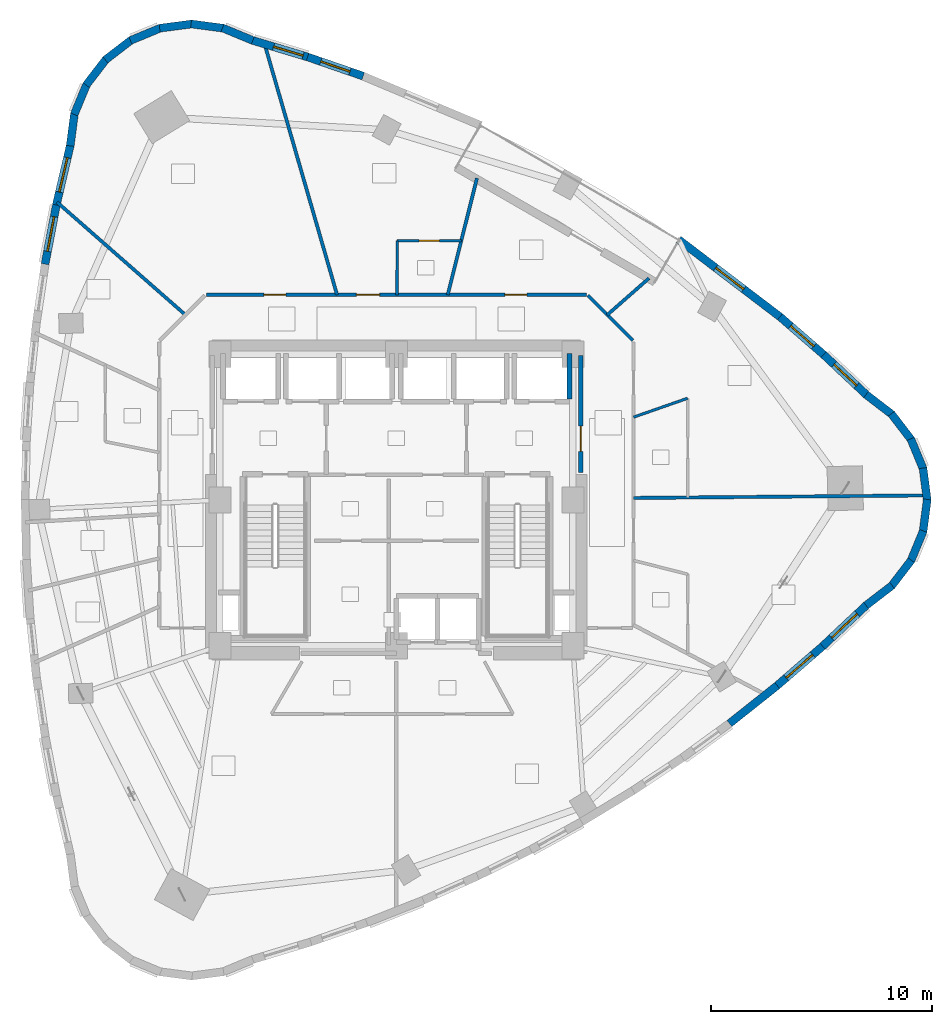
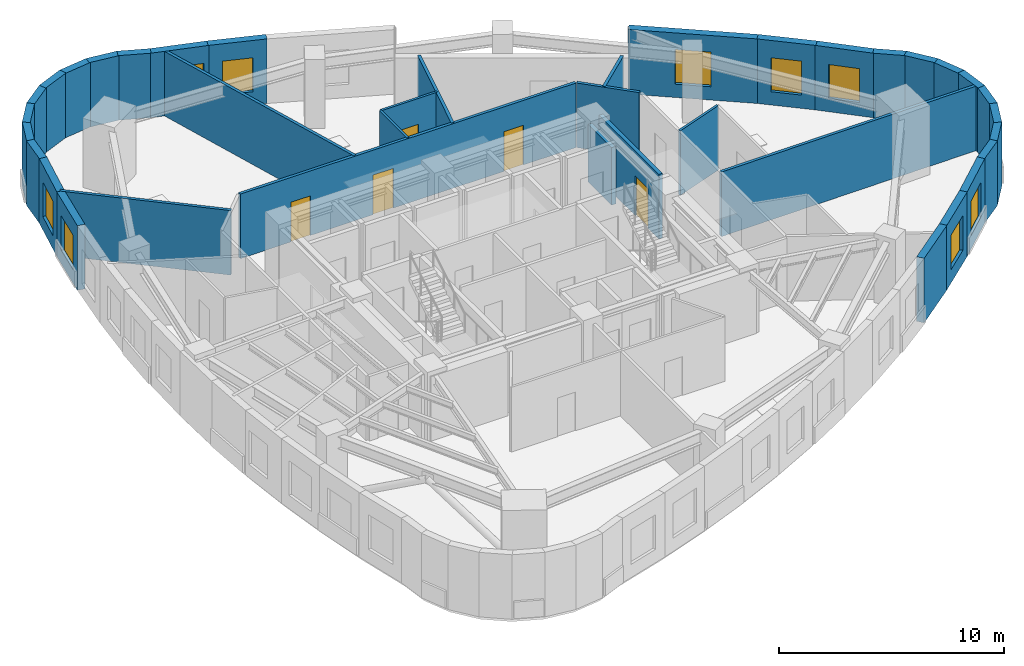
# One storey, part 10 of 14: 38 walls, 9 windows, 5 doors, 14 openings.
"""IFC4 building model written with IfcOpenShell, lengths in metres."""

from ifc_helpers import new_model, si_unit, direction, frame, frame_2d, origin, place, context, subcontext, project, spatial, rectangle, extrude, material, layer, layer_set, type_object, element, fill, save


model = new_model("IFC4")

# Units and contexts
model_context = context("Model", 3, precision=1e-05, world=origin(), true_north=direction((0.0, 1.0)))
body_context = subcontext(model_context, "Body", "Model", "MODEL_VIEW")
ifc_project = project(units=[si_unit("LENGTHUNIT", "METRE"), si_unit("AREAUNIT", "SQUARE_METRE"), si_unit("VOLUMEUNIT", "CUBIC_METRE"), si_unit("PLANEANGLEUNIT", "RADIAN"), si_unit("MASSUNIT", "GRAM", prefix="KILO")], contexts=[model_context])

# Site, building, storey
site_placement = place(None, origin())
site = spatial("IfcSite", under=ifc_project, at=site_placement, CompositionType="ELEMENT")
building_placement = place(site_placement, origin())
building = spatial("IfcBuilding", under=site, at=building_placement, Name="Ndelora Gate Hotel", CompositionType="ELEMENT")
storey_placement = place(building_placement, frame((0.0, 0.0, 119.75)))
storey = spatial("IfcBuildingStorey", under=building, at=storey_placement, Name="L29", CompositionType="ELEMENT", Elevation=119.75)

# Walls
ifc_material_1 = material(Name="Clay Brick Masonry", Category="masonry")
ifc_layer_1 = layer(ifc_material_1, 0.360107421875)
ifc_layer_set_1 = layer_set([ifc_layer_1], Name="Clay Brick Masonry")
wall_type_1 = type_object("IfcWallType", Name="WL-BRICK-360", PredefinedType="SOLIDWALL", material=ifc_layer_set_1)
for number, where, z_axis, x_axis, name in (
    (1, (-7.8798828125, 21.39599609375, 0.0), (0.0, 0.0, 1.0), (0.923886669429, -0.382666201867, 0.0), "L29 Tower Brick Pier-and-Spandrel Wall TWR-1"),
    (2, (-9.304931640625, 21.576904296875, 0.0), (0.0, 0.0, 1.0), (0.991453176983, -0.130463013345, 0.0), "L29 Tower Brick Pier-and-Spandrel Wall TWR-2"),
    (3, (-10.728515625, 21.383056640625, 0.0), (0.0, 0.0, 1.0), (0.991453176983, 0.130463013345, 0.0), "L29 Tower Brick Pier-and-Spandrel Wall TWR-3"),
):
    element("IfcWall", number, at=place(storey_placement, frame(where, z_axis=z_axis, x_axis=x_axis)), inside=storey, type_object=wall_type_1, Name=name, PredefinedType="SOLIDWALL", context=body_context, shape_type="SweptSolid", body=[
        extrude(rectangle(XDim=1.48583984375, YDim=0.360107421875, at=frame_2d((0.742919921875, 0.0))), origin(), (0.0, 0.0, 1.0), 3.5),
    ])
wall_1_placement = place(storey_placement, frame((-12.05322265625, 20.827392578125, 0.0), z_axis=(0.0, 0.0, 1.0), x_axis=(0.923862604215, 0.382724298331, 0.0)))
element("IfcWall", 4, at=wall_1_placement, inside=storey, type_object=wall_type_1, Name="L29 Tower Brick Pier-and-Spandrel Wall TWR-4", PredefinedType="SOLIDWALL", context=body_context, shape_type="SweptSolid", body=[
    extrude(rectangle(XDim=1.485595703125, YDim=0.360107421875, at=frame_2d((0.74267578125, 0.0))), origin(), (0.0, 0.0, 1.0), 3.5),
])
for number, where, z_axis, x_axis, name in (
    (5, (-13.189208984375, 19.947509765625, 0.0), (0.0, 0.0, 1.0), (0.793325936538, 0.608797140611, 0.0), "L29 Tower Brick Pier-and-Spandrel Wall TWR-5"),
    (6, (-14.05859375, 18.803955078125, 0.0), (0.0, 0.0, 1.0), (0.608797140611, 0.793325936538, 0.0), "L29 Tower Brick Pier-and-Spandrel Wall TWR-6"),
):
    element("IfcWall", number, at=place(storey_placement, frame(where, z_axis=z_axis, x_axis=x_axis)), inside=storey, type_object=wall_type_1, Name=name, PredefinedType="SOLIDWALL", context=body_context, shape_type="SweptSolid", body=[
        extrude(rectangle(XDim=1.48583984375, YDim=0.360107421875, at=frame_2d((0.742919921875, 0.0))), origin(), (0.0, 0.0, 1.0), 3.5),
    ])
wall_2_placement = place(storey_placement, frame((-14.602294921875, 17.47412109375, 0.0), z_axis=(0.0, 0.0, 1.0), x_axis=(0.382724298331, 0.923862604215, 0.0)))
element("IfcWall", 7, at=wall_2_placement, inside=storey, type_object=wall_type_1, Name="L29 Tower Brick Pier-and-Spandrel Wall TWR-7", PredefinedType="SOLIDWALL", context=body_context, shape_type="SweptSolid", body=[
    extrude(rectangle(XDim=1.485595703125, YDim=0.360107421875, at=frame_2d((0.74267578125, 0.0))), origin(), (0.0, 0.0, 1.0), 3.5),
])
wall_3_placement = place(storey_placement, frame((-14.783447265625, 16.048828125, 0.0), z_axis=(0.0, 0.0, 1.0), x_axis=(0.130463013345, 0.991453176983, 0.0)))
element("IfcWall", 8, at=wall_3_placement, inside=storey, type_object=wall_type_1, Name="L29 Tower Brick Pier-and-Spandrel Wall TWR-8", PredefinedType="SOLIDWALL", context=body_context, shape_type="SweptSolid", body=[
    extrude(rectangle(XDim=1.48583984375, YDim=0.360107421875, at=frame_2d((0.742919921875, 0.0))), origin(), (0.0, 0.0, 1.0), 3.5),
])

# Wall, opening, window
wall_4_placement = place(storey_placement, frame((-15.412353515625, 13.37060546875, 0.0), z_axis=(0.0, 0.0, 1.0), x_axis=(0.22776138749, 0.973716976523, 0.0)))
wall_4 = element("IfcWall", 9, at=wall_4_placement, inside=storey, type_object=wall_type_1, Name="L29 Tower Brick Pier-and-Spandrel Wall TWR-9", PredefinedType="SOLIDWALL", context=body_context, shape_type="SweptSolid", body=[
    extrude(rectangle(XDim=2.801025390625, YDim=0.360107421875, at=frame_2d((1.400390625, 0.0))), origin(), (0.0, 0.0, 1.0), 3.5),
])
opening_1_placement = place(wall_4_placement, frame((0.6005859375, 0.0, 0.719970703125)))
opening_1 = element("IfcOpeningElement", 10, at=opening_1_placement, cuts=wall_4, Name="Opening W03", PredefinedType="OPENING", context=body_context, shape_type="SweptSolid", body=[
    extrude(rectangle(XDim=1.60009765625, YDim=1.8798828125, at=frame_2d((0.800048828125, 0.93994140625))), frame((0.0, 0.18994140625, 0.0), z_axis=(0.0, -1.0, 0.0), x_axis=(1.0, 0.0, 0.0)), (0.0, 0.0, 1.0), 0.380126953125),
])
ifc_material_2 = material(Name="Insulated Low-E Double Glazing in Bronze Aluminium Frame", Category="aluminium")
window_type_1 = type_object("IfcWindowType", Name="WN-CORN-2100", PartitioningType="SINGLE_PANEL", PredefinedType="WINDOW", material=ifc_material_2)
window_1_placement = place(opening_1_placement, origin())
window_1 = element("IfcWindow", 11, at=window_1_placement, inside=storey, type_object=window_type_1, Name="L29 Deep-Set Brick-Pier Window W03", OverallHeight=1.8798828125, OverallWidth=1.60009765625, PartitioningType="SINGLE_PANEL", PredefinedType="WINDOW", context=body_context, shape_type="SweptSolid", body=[
    extrude(rectangle(XDim=1.60009765625, YDim=1.8798828125, at=frame_2d((0.800048828125, 0.93994140625))), frame((0.0, 0.030029296875, 0.0), z_axis=(0.0, -1.0, 0.0), x_axis=(1.0, 0.0, 0.0)), (0.0, 0.0, 1.0), 0.06005859375),
])
fill(opening_1, window_1)

wall_5_placement = place(storey_placement, frame((-15.923828125, 10.691162109375, 0.0), z_axis=(0.0, 0.0, 1.0), x_axis=(0.187911722621, 0.982185921555, 0.0)))
wall_5 = element("IfcWall", 12, at=wall_5_placement, inside=storey, type_object=wall_type_1, Name="L29 Tower Brick Pier-and-Spandrel Wall TWR-10", PredefinedType="SOLIDWALL", context=body_context, shape_type="SweptSolid", body=[
    extrude(rectangle(XDim=2.77783203125, YDim=0.360107421875, at=frame_2d((1.388916015625, 0.0))), origin(), (0.0, 0.0, 1.0), 3.5),
])
opening_2_placement = place(wall_5_placement, frame((0.5888671875, 0.0, 0.719970703125)))
opening_2 = element("IfcOpeningElement", 13, at=opening_2_placement, cuts=wall_5, Name="Opening W01", PredefinedType="OPENING", context=body_context, shape_type="SweptSolid", body=[
    extrude(rectangle(XDim=1.60009765625, YDim=1.8798828125, at=frame_2d((0.800048828125, 0.93994140625))), frame((0.0, 0.18994140625, 0.0), z_axis=(0.0, -1.0, 0.0), x_axis=(1.0, 0.0, 0.0)), (0.0, 0.0, 1.0), 0.380126953125),
])
window_type_2 = type_object("IfcWindowType", Name="WN-DEEP-1600", PartitioningType="SINGLE_PANEL", PredefinedType="WINDOW", material=ifc_material_2)
window_2_placement = place(opening_2_placement, origin())
window_2 = element("IfcWindow", 14, at=window_2_placement, inside=storey, type_object=window_type_2, Name="L29 Deep-Set Brick-Pier Window W01", OverallHeight=1.8798828125, OverallWidth=1.60009765625, PartitioningType="SINGLE_PANEL", PredefinedType="WINDOW", context=body_context, shape_type="SweptSolid", body=[
    extrude(rectangle(XDim=1.60009765625, YDim=1.8798828125, at=frame_2d((0.800048828125, 0.93994140625))), frame((0.0, 0.030029296875, 0.0), z_axis=(0.0, -1.0, 0.0), x_axis=(1.0, 0.0, 0.0)), (0.0, 0.0, 1.0), 0.06005859375),
])
fill(opening_2, window_2)

# Wall
wall_6_placement = place(storey_placement, frame((17.25927734375, -8.412841796875, 0.0), z_axis=(0.0, 0.0, 1.0), x_axis=(-0.783005616034, -0.622014634281, 0.0)))
element("IfcWall", 15, at=wall_6_placement, inside=storey, type_object=wall_type_1, Name="L29 Tower Brick Pier-and-Spandrel Wall TWR-38", PredefinedType="SOLIDWALL", context=body_context, shape_type="SweptSolid", body=[
    extrude(rectangle(XDim=2.758544921875, YDim=0.360107421875, at=frame_2d((1.37939453125, 0.0))), origin(), (0.0, 0.0, 1.0), 3.5),
])

# Wall, opening, window
wall_7_placement = place(storey_placement, frame((19.322509765625, -6.62890625, 0.0), z_axis=(0.0, 0.0, 1.0), x_axis=(-0.756738013258, -0.65371827211, 0.0)))
wall_7 = element("IfcWall", 16, at=wall_7_placement, inside=storey, type_object=wall_type_1, Name="L29 Tower Brick Pier-and-Spandrel Wall TWR-39", PredefinedType="SOLIDWALL", context=body_context, shape_type="SweptSolid", body=[
    extrude(rectangle(XDim=2.77734375, YDim=0.360107421875, at=frame_2d((1.388671875, 0.0))), origin(), (0.0, 0.0, 1.0), 3.5),
])
opening_3_placement = place(wall_7_placement, frame((0.5888671875, 0.0, 0.719970703125)))
opening_3 = element("IfcOpeningElement", 17, at=opening_3_placement, cuts=wall_7, Name="Opening W01", PredefinedType="OPENING", context=body_context, shape_type="SweptSolid", body=[
    extrude(rectangle(XDim=1.60009765625, YDim=1.8798828125, at=frame_2d((0.800048828125, 0.93994140625))), frame((0.0, 0.18994140625, 0.0), z_axis=(0.0, -1.0, 0.0), x_axis=(1.0, 0.0, 0.0)), (0.0, 0.0, 1.0), 0.380126953125),
])
window_3_placement = place(opening_3_placement, origin())
window_3 = element("IfcWindow", 18, at=window_3_placement, inside=storey, type_object=window_type_2, Name="L29 Deep-Set Brick-Pier Window W01", OverallHeight=1.8798828125, OverallWidth=1.60009765625, PartitioningType="SINGLE_PANEL", PredefinedType="WINDOW", context=body_context, shape_type="SweptSolid", body=[
    extrude(rectangle(XDim=1.60009765625, YDim=1.8798828125, at=frame_2d((0.800048828125, 0.93994140625))), frame((0.0, 0.030029296875, 0.0), z_axis=(0.0, -1.0, 0.0), x_axis=(1.0, 0.0, 0.0)), (0.0, 0.0, 1.0), 0.06005859375),
])
fill(opening_3, window_3)

wall_8_placement = place(storey_placement, frame((21.32861328125, -4.74609375, 0.0), z_axis=(0.0, 0.0, 1.0), x_axis=(-0.729447500313, -0.684036800389, 0.0)))
wall_8 = element("IfcWall", 19, at=wall_8_placement, inside=storey, type_object=wall_type_1, Name="L29 Tower Brick Pier-and-Spandrel Wall TWR-40", PredefinedType="SOLIDWALL", context=body_context, shape_type="SweptSolid", body=[
    extrude(rectangle(XDim=2.801025390625, YDim=0.360107421875, at=frame_2d((1.400390625, 0.0))), origin(), (0.0, 0.0, 1.0), 3.5),
])
opening_4_placement = place(wall_8_placement, frame((0.6005859375, 0.0, 0.719970703125)))
opening_4 = element("IfcOpeningElement", 20, at=opening_4_placement, cuts=wall_8, Name="Opening W01", PredefinedType="OPENING", context=body_context, shape_type="SweptSolid", body=[
    extrude(rectangle(XDim=1.60009765625, YDim=1.8798828125, at=frame_2d((0.800048828125, 0.93994140625))), frame((0.0, 0.18994140625, 0.0), z_axis=(0.0, -1.0, 0.0), x_axis=(1.0, 0.0, 0.0)), (0.0, 0.0, 1.0), 0.380126953125),
])
window_4_placement = place(opening_4_placement, origin())
window_4 = element("IfcWindow", 21, at=window_4_placement, inside=storey, type_object=window_type_2, Name="L29 Deep-Set Brick-Pier Window W01", OverallHeight=1.8798828125, OverallWidth=1.60009765625, PartitioningType="SINGLE_PANEL", PredefinedType="WINDOW", context=body_context, shape_type="SweptSolid", body=[
    extrude(rectangle(XDim=1.60009765625, YDim=1.8798828125, at=frame_2d((0.800048828125, 0.93994140625))), frame((0.0, 0.030029296875, 0.0), z_axis=(0.0, -1.0, 0.0), x_axis=(1.0, 0.0, 0.0)), (0.0, 0.0, 1.0), 0.06005859375),
])
fill(opening_4, window_4)

# Walls
for number, where, z_axis, x_axis, name in (
    (22, (22.46923828125, -3.873779296875, 0.0), (0.0, 0.0, 1.0), (-0.793325936538, -0.608797140611, 0.0), "L29 Tower Brick Pier-and-Spandrel Wall TWR-41"),
    (23, (23.338623046875, -2.730224609375, 0.0), (0.0, 0.0, 1.0), (-0.608797140611, -0.793325936538, 0.0), "L29 Tower Brick Pier-and-Spandrel Wall TWR-42"),
    (24, (23.882568359375, -1.400390625, 0.0), (0.0, 0.0, 1.0), (-0.382666201867, -0.923886669429, 0.0), "L29 Tower Brick Pier-and-Spandrel Wall TWR-43"),
    (25, (24.063720703125, 0.02490234375, 0.0), (0.0, 0.0, 1.0), (-0.130624522576, -0.991431910976, 0.0), "L29 Tower Brick Pier-and-Spandrel Wall TWR-44"),
    (26, (23.86962890625, 1.4482421875, 0.0), (0.0, 0.0, 1.0), (0.130624522576, -0.991431910976, 0.0), "L29 Tower Brick Pier-and-Spandrel Wall TWR-45"),
    (27, (23.31396484375, 2.773193359375, 0.0), (0.0, 0.0, 1.0), (0.382666201867, -0.923886669429, 0.0), "L29 Tower Brick Pier-and-Spandrel Wall TWR-46"),
    (28, (22.43408203125, 3.908935546875, 0.0), (0.0, 0.0, 1.0), (0.608797140611, -0.793325936538, 0.0), "L29 Tower Brick Pier-and-Spandrel Wall TWR-47"),
    (29, (21.29052734375, 4.7783203125, 0.0), (0.0, 0.0, 1.0), (0.793325936538, -0.608797140611, 0.0), "L29 Tower Brick Pier-and-Spandrel Wall TWR-48"),
):
    element("IfcWall", number, at=place(storey_placement, frame(where, z_axis=z_axis, x_axis=x_axis)), inside=storey, type_object=wall_type_1, Name=name, PredefinedType="SOLIDWALL", context=body_context, shape_type="SweptSolid", body=[
        extrude(rectangle(XDim=1.48583984375, YDim=0.360107421875, at=frame_2d((0.742919921875, 0.0))), origin(), (0.0, 0.0, 1.0), 3.5),
    ])

# Wall, opening, window
wall_9_placement = place(storey_placement, frame((19.36669921875, 6.5888671875, 0.0), z_axis=(0.0, 0.0, 1.0), x_axis=(0.728891962159, -0.684628736981, 0.0)))
wall_9 = element("IfcWall", 30, at=wall_9_placement, inside=storey, type_object=wall_type_1, Name="L29 Tower Brick Pier-and-Spandrel Wall TWR-49", PredefinedType="SOLIDWALL", context=body_context, shape_type="SweptSolid", body=[
    extrude(rectangle(XDim=2.691650390625, YDim=0.360107421875, at=frame_2d((1.345703125, 0.0))), origin(), (0.0, 0.0, 1.0), 3.5),
])
opening_5_placement = place(wall_9_placement, frame((0.645751953125, 0.0, 0.719970703125)))
opening_5 = element("IfcOpeningElement", 31, at=opening_5_placement, cuts=wall_9, Name="Opening W02", PredefinedType="OPENING", context=body_context, shape_type="SweptSolid", body=[
    extrude(rectangle(XDim=1.39990234375, YDim=1.840087890625, at=frame_2d((0.699951171875, 0.919921875))), frame((0.0, 0.18994140625, 0.0), z_axis=(0.0, -1.0, 0.0), x_axis=(1.0, 0.0, 0.0)), (0.0, 0.0, 1.0), 0.380126953125),
])
window_type_3 = type_object("IfcWindowType", Name="WN-DEEP-1400", PartitioningType="SINGLE_PANEL", PredefinedType="WINDOW", material=ifc_material_2)
window_5_placement = place(opening_5_placement, origin())
window_5 = element("IfcWindow", 32, at=window_5_placement, inside=storey, type_object=window_type_3, Name="L29 Deep-Set Brick-Pier Window W02", OverallHeight=1.840087890625, OverallWidth=1.39990234375, PartitioningType="SINGLE_PANEL", PredefinedType="WINDOW", context=body_context, shape_type="SweptSolid", body=[
    extrude(rectangle(XDim=1.39990234375, YDim=1.840087890625, at=frame_2d((0.699951171875, 0.919921875))), frame((0.0, 0.030029296875, 0.0), z_axis=(0.0, -1.0, 0.0), x_axis=(1.0, 0.0, 0.0)), (0.0, 0.0, 1.0), 0.06005859375),
])
fill(opening_5, window_5)

wall_10_placement = place(storey_placement, frame((17.387939453125, 8.305908203125, 0.0), z_axis=(0.0, 0.0, 1.0), x_axis=(0.755058136048, -0.655657846126, 0.0)))
wall_10 = element("IfcWall", 33, at=wall_10_placement, inside=storey, type_object=wall_type_1, Name="L29 Tower Brick Pier-and-Spandrel Wall TWR-50", PredefinedType="SOLIDWALL", context=body_context, shape_type="SweptSolid", body=[
    extrude(rectangle(XDim=2.669921875, YDim=0.360107421875, at=frame_2d((1.3349609375, 0.0))), origin(), (0.0, 0.0, 1.0), 3.5),
])
opening_6_placement = place(wall_10_placement, frame((0.635009765625, 0.0, 0.719970703125)))
opening_6 = element("IfcOpeningElement", 34, at=opening_6_placement, cuts=wall_10, Name="Opening W02", PredefinedType="OPENING", context=body_context, shape_type="SweptSolid", body=[
    extrude(rectangle(XDim=1.39990234375, YDim=1.840087890625, at=frame_2d((0.699951171875, 0.919921875))), frame((0.0, 0.18994140625, 0.0), z_axis=(0.0, -1.0, 0.0), x_axis=(1.0, 0.0, 0.0)), (0.0, 0.0, 1.0), 0.380126953125),
])
window_6_placement = place(opening_6_placement, origin())
window_6 = element("IfcWindow", 35, at=window_6_placement, inside=storey, type_object=window_type_3, Name="L29 Deep-Set Brick-Pier Window W02", OverallHeight=1.840087890625, OverallWidth=1.39990234375, PartitioningType="SINGLE_PANEL", PredefinedType="WINDOW", context=body_context, shape_type="SweptSolid", body=[
    extrude(rectangle(XDim=1.39990234375, YDim=1.840087890625, at=frame_2d((0.699951171875, 0.919921875))), frame((0.0, 0.030029296875, 0.0), z_axis=(0.0, -1.0, 0.0), x_axis=(1.0, 0.0, 0.0)), (0.0, 0.0, 1.0), 0.06005859375),
])
fill(opening_6, window_6)

wall_11_placement = place(storey_placement, frame((12.791259765625, 11.8046875, 0.0), z_axis=(0.0, 0.0, 1.0), x_axis=(0.795558665525, -0.605876563095, 0.0)))
wall_11 = element("IfcWall", 36, at=wall_11_placement, inside=storey, type_object=wall_type_1, Name="L29 Tower Brick Pier-and-Spandrel Wall TWR-51", PredefinedType="SOLIDWALL", context=body_context, shape_type="SweptSolid", body=[
    extrude(rectangle(XDim=5.82666015625, YDim=0.360107421875, at=frame_2d((2.913330078125, 0.0))), origin(), (0.0, 0.0, 1.0), 3.5),
])
opening_7_placement = place(wall_11_placement, frame((2.11328125, 0.0, 0.719970703125)))
opening_7 = element("IfcOpeningElement", 37, at=opening_7_placement, cuts=wall_11, Name="Opening W01", PredefinedType="OPENING", context=body_context, shape_type="SweptSolid", body=[
    extrude(rectangle(XDim=1.60009765625, YDim=1.8798828125, at=frame_2d((0.800048828125, 0.93994140625))), frame((0.0, 0.18994140625, 0.0), z_axis=(0.0, -1.0, 0.0), x_axis=(1.0, 0.0, 0.0)), (0.0, 0.0, 1.0), 0.380126953125),
])
window_7_placement = place(opening_7_placement, origin())
window_7 = element("IfcWindow", 38, at=window_7_placement, inside=storey, type_object=window_type_2, Name="L29 Deep-Set Brick-Pier Window W01", OverallHeight=1.8798828125, OverallWidth=1.60009765625, PartitioningType="SINGLE_PANEL", PredefinedType="WINDOW", context=body_context, shape_type="SweptSolid", body=[
    extrude(rectangle(XDim=1.60009765625, YDim=1.8798828125, at=frame_2d((0.800048828125, 0.93994140625))), frame((0.0, 0.030029296875, 0.0), z_axis=(0.0, -1.0, 0.0), x_axis=(1.0, 0.0, 0.0)), (0.0, 0.0, 1.0), 0.06005859375),
])
fill(opening_7, window_7)

wall_12_placement = place(storey_placement, frame((-4.02490234375, 20.081787109375, 0.0), z_axis=(0.0, 0.0, 1.0), x_axis=(0.945339936715, -0.326086497807, 0.0)))
wall_12 = element("IfcWall", 39, at=wall_12_placement, inside=storey, type_object=wall_type_1, Name="L29 Tower Brick Pier-and-Spandrel Wall TWR-57", PredefinedType="SOLIDWALL", context=body_context, shape_type="SweptSolid", body=[
    extrude(rectangle(XDim=2.669921875, YDim=0.360107421875, at=frame_2d((1.3349609375, 0.0))), origin(), (0.0, 0.0, 1.0), 3.5),
])
opening_8_placement = place(wall_12_placement, frame((0.635009765625, 0.0, 0.719970703125)))
opening_8 = element("IfcOpeningElement", 40, at=opening_8_placement, cuts=wall_12, Name="Opening W02", PredefinedType="OPENING", context=body_context, shape_type="SweptSolid", body=[
    extrude(rectangle(XDim=1.39990234375, YDim=1.840087890625, at=frame_2d((0.699951171875, 0.919921875))), frame((0.0, 0.18994140625, 0.0), z_axis=(0.0, -1.0, 0.0), x_axis=(1.0, 0.0, 0.0)), (0.0, 0.0, 1.0), 0.380126953125),
])
window_8_placement = place(opening_8_placement, origin())
window_8 = element("IfcWindow", 41, at=window_8_placement, inside=storey, type_object=window_type_3, Name="L29 Deep-Set Brick-Pier Window W02", OverallHeight=1.840087890625, OverallWidth=1.39990234375, PartitioningType="SINGLE_PANEL", PredefinedType="WINDOW", context=body_context, shape_type="SweptSolid", body=[
    extrude(rectangle(XDim=1.39990234375, YDim=1.840087890625, at=frame_2d((0.699951171875, 0.919921875))), frame((0.0, 0.030029296875, 0.0), z_axis=(0.0, -1.0, 0.0), x_axis=(1.0, 0.0, 0.0)), (0.0, 0.0, 1.0), 0.06005859375),
])
fill(opening_8, window_8)

wall_13_placement = place(storey_placement, frame((-6.55419921875, 20.843994140625, 0.0), z_axis=(0.0, 0.0, 1.0), x_axis=(0.95736321508, -0.288886957843, 0.0)))
wall_13 = element("IfcWall", 42, at=wall_13_placement, inside=storey, type_object=wall_type_1, Name="L29 Tower Brick Pier-and-Spandrel Wall TWR-58", PredefinedType="SOLIDWALL", context=body_context, shape_type="SweptSolid", body=[
    extrude(rectangle(XDim=2.691650390625, YDim=0.360107421875, at=frame_2d((1.345703125, 0.0))), origin(), (0.0, 0.0, 1.0), 3.5),
])
opening_9_placement = place(wall_13_placement, frame((1.03173828125, 0.0, 0.719970703125)))
opening_9 = element("IfcOpeningElement", 43, at=opening_9_placement, cuts=wall_13, Name="Opening W02", PredefinedType="OPENING", context=body_context, shape_type="SweptSolid", body=[
    extrude(rectangle(XDim=1.39990234375, YDim=1.840087890625, at=frame_2d((0.699951171875, 0.919921875))), frame((0.0, 0.18994140625, 0.0), z_axis=(0.0, -1.0, 0.0), x_axis=(1.0, 0.0, 0.0)), (0.0, 0.0, 1.0), 0.380126953125),
])
window_9_placement = place(opening_9_placement, origin())
window_9 = element("IfcWindow", 44, at=window_9_placement, inside=storey, type_object=window_type_3, Name="L29 Deep-Set Brick-Pier Window W02", OverallHeight=1.840087890625, OverallWidth=1.39990234375, PartitioningType="SINGLE_PANEL", PredefinedType="WINDOW", context=body_context, shape_type="SweptSolid", body=[
    extrude(rectangle(XDim=1.39990234375, YDim=1.840087890625, at=frame_2d((0.699951171875, 0.919921875))), frame((0.0, 0.030029296875, 0.0), z_axis=(0.0, -1.0, 0.0), x_axis=(1.0, 0.0, 0.0)), (0.0, 0.0, 1.0), 0.06005859375),
])
fill(opening_9, window_9)

# Wall, opening, door
ifc_material_3 = material(Name="Concrete C40/50", Category="concrete")
ifc_layer_2 = layer(ifc_material_3, 0.199951171875)
ifc_layer_set_2 = layer_set([ifc_layer_2], Name="Concrete C40/50")
wall_type_2 = type_object("IfcWallType", Name="WL-FIRE-200", PredefinedType="PARTITIONING", material=ifc_layer_set_2)
wall_14_placement = place(storey_placement, frame((8.35009765625, 1.25, 0.0), z_axis=(0.0, 0.0, 1.0), x_axis=(0.0, 1.0, 0.0)))
wall_14 = element("IfcWall", 45, at=wall_14_placement, inside=storey, type_object=wall_type_2, Name="L29 Interior Wall IW-2", PredefinedType="PARTITIONING", context=body_context, shape_type="SweptSolid", body=[
    extrude(rectangle(XDim=5.300048828125, YDim=0.199951171875, at=frame_2d((2.64990234375, 0.0))), origin(), (0.0, 0.0, 1.0), 3.5),
])
opening_10_placement = place(wall_14_placement, frame((0.949951171875, 0.0, 0.0)))
opening_10 = element("IfcOpeningElement", 46, at=opening_10_placement, cuts=wall_14, Name="Opening FD1", PredefinedType="OPENING", context=body_context, shape_type="SweptSolid", body=[
    extrude(rectangle(XDim=1.14990234375, YDim=2.14990234375, at=frame_2d((0.574951171875, 1.074951171875))), frame((0.0, 0.10986328125, 0.0), z_axis=(0.0, -1.0, 0.0), x_axis=(1.0, 0.0, 0.0)), (0.0, 0.0, 1.0), 0.219970703125),
])
ifc_material_4 = material(Name="Fire-Rated Timber-Veneer Steel Core", Category="steel")
door_type_1 = type_object("IfcDoorType", Name="DR-FD60", OperationType="SINGLE_SWING_LEFT", PredefinedType="DOOR", material=ifc_material_4)
door_1_placement = place(opening_10_placement, origin())
door_1 = element("IfcDoor", 47, at=door_1_placement, inside=storey, type_object=door_type_1, Name="L29 Firefighting Lobby East Corridor Door", OperationType="SINGLE_SWING_RIGHT", OverallHeight=2.14990234375, OverallWidth=1.14990234375, PredefinedType="DOOR", context=body_context, shape_type="SweptSolid", body=[
    extrude(rectangle(XDim=1.14990234375, YDim=2.14990234375, at=frame_2d((0.574951171875, 1.074951171875))), frame((0.0, 0.02490234375, 0.0), z_axis=(0.0, -1.0, 0.0), x_axis=(1.0, 0.0, 0.0)), (0.0, 0.0, 1.0), 0.050048828125),
])
fill(opening_10, door_1)

# Wall
ifc_material_5 = material(Name="Fire-Rated Gypsum Stud Partition", Category="gypsum")
ifc_layer_3 = layer(ifc_material_5, 0.14990234375)
ifc_layer_set_3 = layer_set([ifc_layer_3], Name="Fire-Rated Gypsum Stud Partition")
wall_type_3 = type_object("IfcWallType", Name="WL-PART-150", PredefinedType="PARTITIONING", material=ifc_layer_set_3)
wall_15_placement = place(storey_placement, frame((8.67822265625, 9.271728515625, 0.0), z_axis=(0.0, 0.0, 1.0), x_axis=(0.707106781187, -0.707106781187, 0.0)))
element("IfcWall", 48, at=wall_15_placement, inside=storey, type_object=wall_type_3, Name="L29 Interior Wall IW-5", PredefinedType="PARTITIONING", context=body_context, shape_type="SweptSolid", body=[
    extrude(rectangle(XDim=2.889892578125, YDim=0.14990234375, at=frame_2d((1.44482421875, 0.0))), origin(), (0.0, 0.0, 1.0), 3.5),
])

# Wall, openings, doors
wall_16_placement = place(storey_placement, frame((-8.610107421875, 9.300048828125, 0.0), z_axis=(0.0, 0.0, 1.0), x_axis=(1.0, 0.0, 0.0)))
wall_16 = element("IfcWall", 49, at=wall_16_placement, inside=storey, type_object=wall_type_3, Name="L29 Interior Wall IW-5", PredefinedType="PARTITIONING", context=body_context, shape_type="SweptSolid", body=[
    extrude(rectangle(XDim=17.22021484375, YDim=0.14990234375, at=frame_2d((8.610107421875, 0.0))), origin(), (0.0, 0.0, 1.0), 3.5),
])
opening_11_placement = place(wall_16_placement, frame((13.52978515625, 0.0, 0.0)))
opening_11 = element("IfcOpeningElement", 50, at=opening_11_placement, cuts=wall_16, Name="Opening D01", PredefinedType="OPENING", context=body_context, shape_type="SweptSolid", body=[
    extrude(rectangle(XDim=1.0, YDim=2.14990234375, at=frame_2d((0.5, 1.074951171875))), frame((0.0, 0.0849609375, 0.0), z_axis=(0.0, -1.0, 0.0), x_axis=(1.0, 0.0, 0.0)), (0.0, 0.0, 1.0), 0.169921875),
])
opening_12_placement = place(wall_16_placement, frame((6.796875, 0.0, 0.0)))
opening_12 = element("IfcOpeningElement", 51, at=opening_12_placement, cuts=wall_16, Name="Opening D07", PredefinedType="OPENING", context=body_context, shape_type="SweptSolid", body=[
    extrude(rectangle(XDim=1.06005859375, YDim=2.14990234375, at=frame_2d((0.530029296875, 1.074951171875))), frame((0.0, 0.0849609375, 0.0), z_axis=(0.0, -1.0, 0.0), x_axis=(1.0, 0.0, 0.0)), (0.0, 0.0, 1.0), 0.169921875),
])
opening_13_placement = place(wall_16_placement, frame((2.601318359375, 0.0, 0.0)))
opening_13 = element("IfcOpeningElement", 52, at=opening_13_placement, cuts=wall_16, Name="Opening D01", PredefinedType="OPENING", context=body_context, shape_type="SweptSolid", body=[
    extrude(rectangle(XDim=1.0, YDim=2.14990234375, at=frame_2d((0.5, 1.074951171875))), frame((0.0, 0.0849609375, 0.0), z_axis=(0.0, -1.0, 0.0), x_axis=(1.0, 0.0, 0.0)), (0.0, 0.0, 1.0), 0.169921875),
])
ifc_material_6 = material(Name="Acoustic Hardwood Guest Entrance Door", Category="wood")
door_type_2 = type_object("IfcDoorType", Name="DR-COR-1000", OperationType="SINGLE_SWING_LEFT", PredefinedType="DOOR", material=ifc_material_6)
door_2_placement = place(opening_11_placement, origin())
door_2 = element("IfcDoor", 53, at=door_2_placement, inside=storey, type_object=door_type_2, Name="L29 Sky Garden Tea Dining Room Entrance Door", OperationType="SINGLE_SWING_RIGHT", OverallHeight=2.14990234375, OverallWidth=1.0, PredefinedType="DOOR", context=body_context, shape_type="SweptSolid", body=[
    extrude(rectangle(XDim=1.0, YDim=2.14990234375, at=frame_2d((0.5, 1.074951171875))), frame((0.0, 0.02490234375, 0.0), z_axis=(0.0, -1.0, 0.0), x_axis=(1.0, 0.0, 0.0)), (0.0, 0.0, 1.0), 0.050048828125),
])
fill(opening_11, door_2)
door_3_placement = place(opening_13_placement, origin())
door_3 = element("IfcDoor", 54, at=door_3_placement, inside=storey, type_object=door_type_2, Name="L29 Private Club Dining Room Entrance Door", OperationType="SINGLE_SWING_LEFT", OverallHeight=2.14990234375, OverallWidth=1.0, PredefinedType="DOOR", context=body_context, shape_type="SweptSolid", body=[
    extrude(rectangle(XDim=1.0, YDim=2.14990234375, at=frame_2d((0.5, 1.074951171875))), frame((0.0, 0.02490234375, 0.0), z_axis=(0.0, -1.0, 0.0), x_axis=(1.0, 0.0, 0.0)), (0.0, 0.0, 1.0), 0.050048828125),
])
fill(opening_13, door_3)
ifc_material_7 = material(Name="Diplomatic Suite Acoustic Entrance Door", Category="wood")
door_type_3 = type_object("IfcDoorType", Name="DR-SUITE-1060", OperationType="SINGLE_SWING_LEFT", PredefinedType="DOOR", material=ifc_material_7)
door_4_placement = place(opening_12_placement, origin())
door_4 = element("IfcDoor", 55, at=door_4_placement, inside=storey, type_object=door_type_3, Name="L29 Club Executive Suite 3205 Entrance Door", OperationType="SINGLE_SWING_LEFT", OverallHeight=2.14990234375, OverallWidth=1.06005859375, PredefinedType="DOOR", context=body_context, shape_type="SweptSolid", body=[
    extrude(rectangle(XDim=1.06005859375, YDim=2.14990234375, at=frame_2d((0.530029296875, 1.074951171875))), frame((0.0, 0.02490234375, 0.0), z_axis=(0.0, -1.0, 0.0), x_axis=(1.0, 0.0, 0.0)), (0.0, 0.0, 1.0), 0.050048828125),
])
fill(opening_12, door_4)

# Walls
wall_17_placement = place(storey_placement, frame((10.75, 0.09228515625, 0.0), z_axis=(0.0, 0.0, 1.0), x_axis=(0.999962849389, 0.008619735634, 0.0)))
element("IfcWall", 56, at=wall_17_placement, inside=storey, type_object=wall_type_3, Name="L29 Interior Wall IW-5", PredefinedType="PARTITIONING", context=body_context, shape_type="SweptSolid", body=[
    extrude(rectangle(XDim=13.28369140625, YDim=0.14990234375, at=frame_2d((6.641845703125, 0.0))), origin(), (0.0, 0.0, 1.0), 3.5),
])
wall_18_placement = place(storey_placement, frame((9.5595703125, 8.390380859375, 0.0), z_axis=(0.0, 0.0, 1.0), x_axis=(0.751523551738, 0.659706261289, 0.0)))
element("IfcWall", 57, at=wall_18_placement, inside=storey, type_object=wall_type_3, Name="L29 Interior Wall IW-5", PredefinedType="PARTITIONING", context=body_context, shape_type="SweptSolid", body=[
    extrude(rectangle(XDim=2.515380859375, YDim=0.14990234375, at=frame_2d((1.2578125, 0.0))), origin(), (0.0, 0.0, 1.0), 3.5),
])
wall_19_placement = place(storey_placement, frame((2.3291015625, 9.300048828125, 0.0), z_axis=(0.0, 0.0, 1.0), x_axis=(0.242946626974, 0.970039657149, 0.0)))
element("IfcWall", 58, at=wall_19_placement, inside=storey, type_object=wall_type_3, Name="L29 Interior Wall IW-5", PredefinedType="PARTITIONING", context=body_context, shape_type="SweptSolid", body=[
    extrude(rectangle(XDim=5.45068359375, YDim=0.14990234375, at=frame_2d((2.725341796875, 0.0))), origin(), (0.0, 0.0, 1.0), 3.5),
])
wall_20_placement = place(storey_placement, frame((-2.6875, 9.300048828125, 0.0), z_axis=(0.0, 0.0, 1.0), x_axis=(-0.277627242784, 0.960688874748, 0.0)))
element("IfcWall", 59, at=wall_20_placement, inside=storey, type_object=wall_type_3, Name="L29 Interior Wall IW-5", PredefinedType="PARTITIONING", context=body_context, shape_type="SweptSolid", body=[
    extrude(rectangle(XDim=11.833740234375, YDim=0.14990234375, at=frame_2d((5.9169921875, 0.0))), origin(), (0.0, 0.0, 1.0), 3.5),
])
wall_21_placement = place(storey_placement, frame((-9.5595703125, 8.390380859375, 0.0), z_axis=(0.0, 0.0, 1.0), x_axis=(-0.751560639242, 0.659664009586, 0.0)))
element("IfcWall", 60, at=wall_21_placement, inside=storey, type_object=wall_type_3, Name="L29 Interior Wall IW-5", PredefinedType="PARTITIONING", context=body_context, shape_type="SweptSolid", body=[
    extrude(rectangle(XDim=7.746826171875, YDim=0.14990234375, at=frame_2d((3.87353515625, 0.0))), origin(), (0.0, 0.0, 1.0), 3.5),
])
ifc_layer_4 = layer(ifc_material_3, 0.219970703125)
ifc_layer_set_4 = layer_set([ifc_layer_4], Name="Concrete C40/50")
wall_type_4 = type_object("IfcWallType", Name="WL-SHAFT-220", PredefinedType="PARTITIONING", material=ifc_layer_set_4)
wall_22_placement = place(storey_placement, frame((7.85009765625, 4.570068359375, 0.0), z_axis=(0.0, 0.0, 1.0), x_axis=(0.0, 1.0, 0.0)))
element("IfcWall", 61, at=wall_22_placement, inside=storey, type_object=wall_type_4, Name="L29 Interior Wall IW-1", PredefinedType="PARTITIONING", context=body_context, shape_type="SweptSolid", body=[
    extrude(rectangle(XDim=2.079833984375, YDim=0.219970703125, at=frame_2d((1.0400390625, 0.0))), origin(), (0.0, 0.0, 1.0), 3.1201171875),
])
ifc_material_8 = material(Name="Moisture-Resistant Bathroom Tile Partition", Category="gypsum")
ifc_layer_5 = layer(ifc_material_8, 0.1201171875)
ifc_layer_set_5 = layer_set([ifc_layer_5], Name="Moisture-Resistant Bathroom Tile Partition")
wall_type_5 = type_object("IfcWallType", Name="WL-WET-120", PredefinedType="PARTITIONING", material=ifc_layer_set_5)
wall_23_placement = place(storey_placement, frame((13.199951171875, 4.610107421875, 0.0), z_axis=(0.0, 0.0, 1.0), x_axis=(-0.944070831108, -0.32974272676, 0.0)))
element("IfcWall", 62, at=wall_23_placement, inside=storey, type_object=wall_type_5, Name="L29 Interior Wall IW-7", PredefinedType="PARTITIONING", context=body_context, shape_type="SweptSolid", body=[
    extrude(rectangle(XDim=2.594970703125, YDim=0.1201171875, at=frame_2d((1.29736328125, 0.0))), origin(), (0.0, 0.0, 1.0), 3.5),
])
wall_24_placement = place(storey_placement, frame((0.02880859375, 9.300048828125, 0.0), z_axis=(0.0, 0.0, 1.0), x_axis=(0.00318882285, 0.999994915691, 0.0)))
element("IfcWall", 63, at=wall_24_placement, inside=storey, type_object=wall_type_5, Name="L29 Interior Wall IW-7", PredefinedType="PARTITIONING", context=body_context, shape_type="SweptSolid", body=[
    extrude(rectangle(XDim=2.449951171875, YDim=0.1201171875, at=frame_2d((1.22509765625, 0.0))), origin(), (0.0, 0.0, 1.0), 3.5),
])

# Wall, opening, door
wall_25_placement = place(storey_placement, frame((0.03662109375, 11.75, 0.0), z_axis=(0.0, 0.0, 1.0), x_axis=(1.0, 0.0, 0.0)))
wall_25 = element("IfcWall", 64, at=wall_25_placement, inside=storey, type_object=wall_type_5, Name="L29 Interior Wall IW-7", PredefinedType="PARTITIONING", context=body_context, shape_type="SweptSolid", body=[
    extrude(rectangle(XDim=2.906005859375, YDim=0.1201171875, at=frame_2d((1.453125, 0.0))), origin(), (0.0, 0.0, 1.0), 3.5),
])
opening_14_placement = place(wall_25_placement, frame((0.9931640625, 0.0, 0.0)))
opening_14 = element("IfcOpeningElement", 65, at=opening_14_placement, cuts=wall_25, Name="Opening D03", PredefinedType="OPENING", context=body_context, shape_type="SweptSolid", body=[
    extrude(rectangle(XDim=0.919921875, YDim=2.10009765625, at=frame_2d((0.4599609375, 1.050048828125))), frame((0.0, 0.070068359375, 0.0), z_axis=(0.0, -1.0, 0.0), x_axis=(1.0, 0.0, 0.0)), (0.0, 0.0, 1.0), 0.14013671875),
])
ifc_material_9 = material(Name="Moisture-Resistant Hardwood En-Suite Door", Category="wood")
door_type_4 = type_object("IfcDoorType", Name="DR-BATH-920", OperationType="SINGLE_SWING_LEFT", PredefinedType="DOOR", material=ifc_material_9)
door_5_placement = place(opening_14_placement, origin())
door_5 = element("IfcDoor", 66, at=door_5_placement, inside=storey, type_object=door_type_4, Name="L29 En-suite Bathroom 3205 Door", OperationType="SINGLE_SWING_RIGHT", OverallHeight=2.10009765625, OverallWidth=0.919921875, PredefinedType="DOOR", context=body_context, shape_type="SweptSolid", body=[
    extrude(rectangle(XDim=0.919921875, YDim=2.10009765625, at=frame_2d((0.4599609375, 1.050048828125))), frame((0.0, 0.02490234375, 0.0), z_axis=(0.0, -1.0, 0.0), x_axis=(1.0, 0.0, 0.0)), (0.0, 0.0, 1.0), 0.050048828125),
])
fill(opening_14, door_5)

save(model, "model.ifc")
